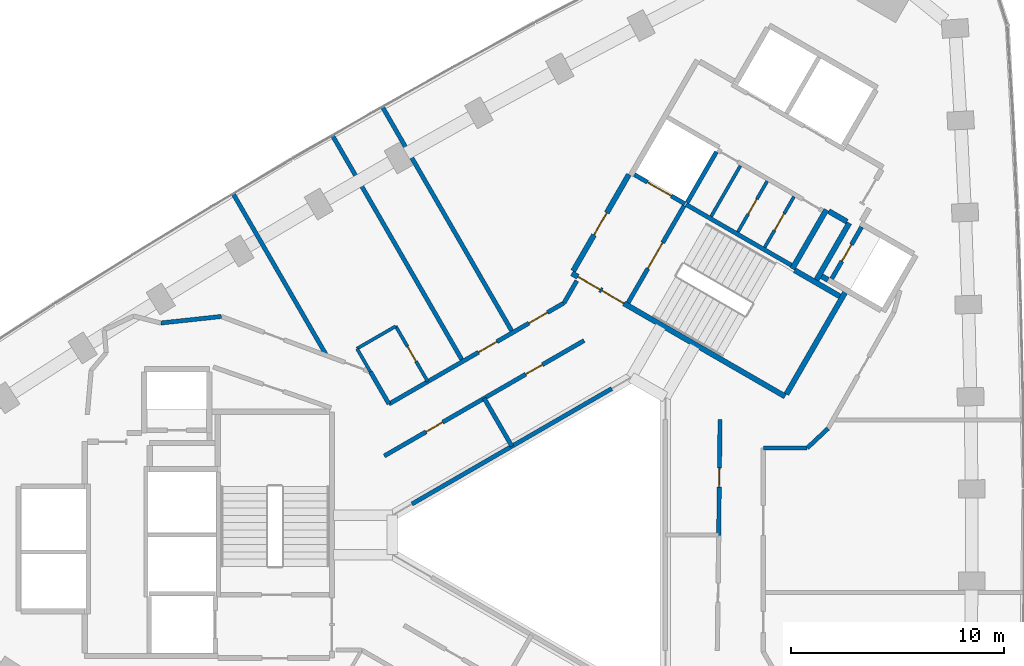
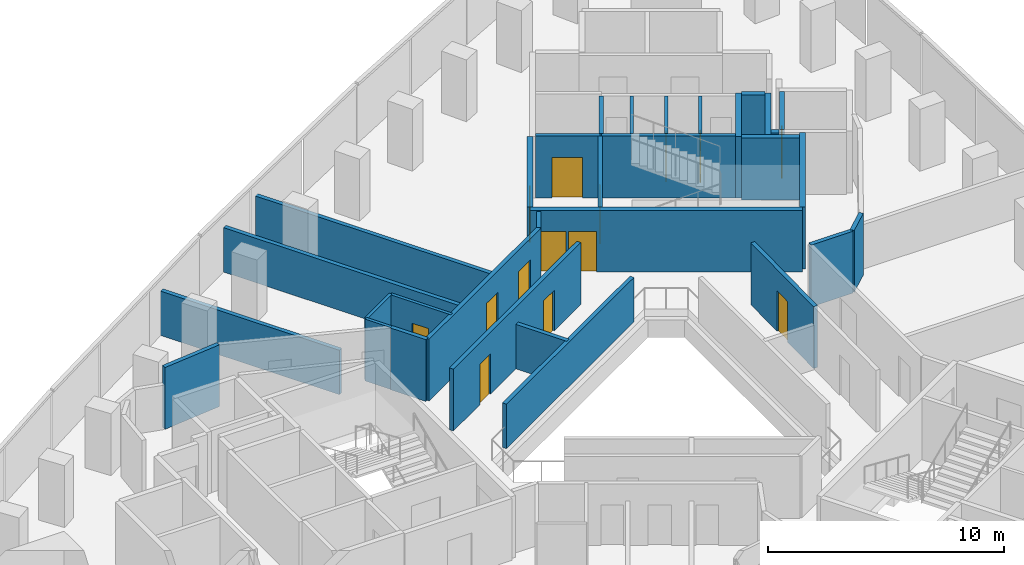
# One storey, part 10 of 12: 32 walls, 14 doors, 14 openings.
"""IFC4 building model written with IfcOpenShell, lengths in metres."""

import ifcopenshell
import ifcopenshell.guid

model = None  # the IFC model being written
_history = None  # IfcOwnerHistory: only IFC2X3 demands one
_inside = {}  # id of a spatial element -> (the spatial element, [elements in it])
_under = {}  # id of a project, library or spatial element -> (it, [spatial elements below it])
_declared = {}  # id of a project -> (the project, [libraries it declares])
_typed = {}  # id of a type object -> (the type object, [elements of that type])
_made_of = {}  # id of a material, layer set ... -> (it, [elements and type objects made of it])


def new_model(schema):
    """Start an empty IFC model of exactly this schema.

    Asked for "IFC4X3", IfcOpenShell would pick the latest addendum, in which some entities
    have other attributes; the version numbers below select the first issue.
    IFC2X3 requires an IfcOwnerHistory on every rooted entity: one is made here for all.
    """
    global model, _history
    if schema == "IFC4X3":
        model = ifcopenshell.file(schema_version=(4, 3, 0, 0))
    else:
        model = ifcopenshell.file(schema=schema)
    _inside.clear()
    _under.clear()
    _declared.clear()
    _typed.clear()
    _made_of.clear()
    _history = None
    if model.schema == "IFC2X3":
        org = make("IfcOrganization", Name="unknown")
        user = make(
            "IfcPersonAndOrganization",
            ThePerson=make("IfcPerson", FamilyName="unknown"),
            TheOrganization=org,
        )
        app = make(
            "IfcApplication",
            ApplicationDeveloper=org,
            Version="unknown",
            ApplicationFullName="unknown",
            ApplicationIdentifier="unknown",
        )
        _history = make(
            "IfcOwnerHistory",
            OwningUser=user,
            OwningApplication=app,
            ChangeAction="ADDED",
            CreationDate=0,
        )
    return model


def make(cls, **values):
    """One entity of the class cls with the attributes given. An attribute that is None is left unset."""
    return model.create_entity(
        cls, **{name: value for name, value in values.items() if value is not None}
    )


def rooted(cls, **values):
    """An entity with a GlobalId (a new one), such as an element, a storey or a relation."""
    return make(cls, GlobalId=ifcopenshell.guid.new(), OwnerHistory=_history, **values)


def si_unit(unit_type, name, prefix=None):
    """IfcSIUnit, for example si_unit("LENGTHUNIT", "METRE", prefix="MILLI")."""
    return make("IfcSIUnit", UnitType=unit_type, Prefix=prefix, Name=name)


def assignment(units):
    """IfcUnitAssignment: the units of a project."""
    return None if units is None else make("IfcUnitAssignment", Units=units)


def point(xyz):
    """IfcCartesianPoint."""
    return None if xyz is None else make("IfcCartesianPoint", Coordinates=xyz)


def direction(xyz):
    """IfcDirection."""
    return None if xyz is None else make("IfcDirection", DirectionRatios=xyz)


def frame(location, z_axis=None, x_axis=None):
    """IfcAxis2Placement3D, a coordinate frame: its origin and axes. An axis left out is left unset."""
    return make(
        "IfcAxis2Placement3D",
        Location=point(location),
        Axis=direction(z_axis),
        RefDirection=direction(x_axis),
    )


def frame_2d(location, x_axis=None):
    """IfcAxis2Placement2D, a coordinate frame in the plane: its origin and x axis."""
    return make(
        "IfcAxis2Placement2D", Location=point(location), RefDirection=direction(x_axis)
    )


def origin():
    """The frame at (0, 0, 0) with its axes left unset."""
    return frame((0.0, 0.0, 0.0))


def place(relative_to, where):
    """IfcLocalPlacement: puts the frame where relative to a parent placement (None: the world)."""
    return make(
        "IfcLocalPlacement", PlacementRelTo=relative_to, RelativePlacement=where
    )


def context(
    kind, dimensions, precision=None, world=None, true_north=None, identifier=None
):
    """IfcGeometricRepresentationContext, for example the 3D "Model" context."""
    return make(
        "IfcGeometricRepresentationContext",
        ContextIdentifier=identifier,
        ContextType=kind,
        CoordinateSpaceDimension=dimensions,
        Precision=precision,
        WorldCoordinateSystem=world,
        TrueNorth=true_north,
    )


def subcontext(parent, identifier, kind, view, scale=None):
    """IfcGeometricRepresentationSubContext, for example "Body" below "Model"."""
    return make(
        "IfcGeometricRepresentationSubContext",
        ContextIdentifier=identifier,
        ContextType=kind,
        ParentContext=parent,
        TargetScale=scale,
        TargetView=view,
    )


def project(units=None, contexts=None):
    """IfcProject with its units and contexts."""
    return rooted(
        "IfcProject",
        Name="project",
        RepresentationContexts=contexts,
        UnitsInContext=assignment(units),
    )


def spatial(cls, under=None, at=None, **own):
    """A site, building, storey or space (cls), placed at a placement, below another one or the project."""
    s = rooted(cls, ObjectPlacement=at, **own)
    if under is not None:
        _under.setdefault(under.id(), (under, []))[1].append(s)
    return s


def profile(cls, at=None, kind="AREA", **sizes):
    """A parametric profile (cls). Its sizes go by their IFC names, for example OverallWidth=200.0."""
    return make(cls, ProfileType=kind, Position=at, **sizes)


def rectangle(**sizes):
    """IfcRectangleProfileDef."""
    return profile("IfcRectangleProfileDef", **sizes)


def extrude(swept, where, along, depth):
    """IfcExtrudedAreaSolid: the profile swept, set in the frame where, extruded along a direction by depth."""
    return make(
        "IfcExtrudedAreaSolid",
        SweptArea=swept,
        Position=where,
        ExtrudedDirection=direction(along),
        Depth=depth,
    )


def shape(context_of_items, identifier, shape_type, items):
    """IfcShapeRepresentation: the items that make up one representation, for example the "Body"."""
    return make(
        "IfcShapeRepresentation",
        ContextOfItems=context_of_items,
        RepresentationIdentifier=identifier,
        RepresentationType=shape_type,
        Items=items,
    )


def material(Name=None, Category=None):
    """IfcMaterial."""
    return make("IfcMaterial", Name=Name, Category=Category)


def layer(
    of_material, thickness, ventilated=None, Name=None, Category=None, Priority=None
):
    """IfcMaterialLayer: one layer of a wall or slab, of a material (None: an air gap)."""
    return make(
        "IfcMaterialLayer",
        Material=of_material,
        LayerThickness=thickness,
        IsVentilated=ventilated,
        Name=Name,
        Category=Category,
        Priority=Priority,
    )


def layer_set(layers, Name=None):
    """IfcMaterialLayerSet."""
    return make("IfcMaterialLayerSet", MaterialLayers=layers, LayerSetName=Name)


def made_of(thing, what):
    """Note that an element or type object is made of a material, layer set ...; save() writes the relation."""
    if what is not None:
        _made_of.setdefault(what.id(), (what, []))[1].append(thing)
    return thing


def type_object(cls, material=None, **own):
    """A type object (cls), such as IfcWallType, which elements share."""
    return made_of(rooted(cls, **own), material)


def element(
    cls,
    number,
    at=None,
    inside=None,
    cuts=None,
    type_object=None,
    material=None,
    context=None,
    identifier="Body",
    shape_type=None,
    held_by="IfcProductDefinitionShape",
    body=None,
    shapes=None,
    **own,
):
    """One element of the class cls, such as IfcWall. Its Tag is "e" and its number.

    at: its placement. inside: the storey or other place that contains it. cuts: it is an
    opening in that element (IfcRelVoidsElement). A single representation is given by context,
    identifier, shape_type and body (its items); several are given by shapes. held_by: the class
    of the entity that holds the representations. save() writes the other relations.
    """
    e = rooted(cls, Tag="e%d" % number, ObjectPlacement=at, **own)
    if body is not None:
        shapes = [shape(context, identifier, shape_type, body)]
    if shapes is not None:
        e.Representation = make(held_by, Representations=shapes)
    if inside is not None:
        _inside.setdefault(inside.id(), (inside, []))[1].append(e)
    if cuts is not None:
        rooted(
            "IfcRelVoidsElement", RelatingBuildingElement=cuts, RelatedOpeningElement=e
        )
    if type_object is not None:
        _typed.setdefault(type_object.id(), (type_object, []))[1].append(e)
    return made_of(e, material)


def fill(opening, filler):
    """IfcRelFillsElement: the door or window that sits in an opening."""
    return rooted(
        "IfcRelFillsElement",
        RelatingOpeningElement=opening,
        RelatedBuildingElement=filler,
    )


def aggregate(whole, parts):
    """IfcRelAggregates: a whole, such as a stair, and the parts it consists of."""
    return rooted("IfcRelAggregates", RelatingObject=whole, RelatedObjects=parts)


def save(model, path):
    """Write the relations noted so far, then the file.

    IfcRelAggregates (storeys below a building ...), IfcRelContainedInSpatialStructure (elements
    in a storey), IfcRelDefinesByType, IfcRelAssociatesMaterial and IfcRelDeclares: one each for
    every whole, place, type object, material and project.
    """
    for whole, parts in _under.values():
        aggregate(whole, parts)
    for where, things in _inside.values():
        rooted(
            "IfcRelContainedInSpatialStructure",
            RelatedElements=things,
            RelatingStructure=where,
        )
    for kind, things in _typed.values():
        rooted("IfcRelDefinesByType", RelatedObjects=things, RelatingType=kind)
    for what, things in _made_of.values():
        rooted("IfcRelAssociatesMaterial", RelatedObjects=things, RelatingMaterial=what)
    for by, libraries in _declared.values():
        rooted("IfcRelDeclares", RelatingContext=by, RelatedDefinitions=libraries)
    model.write(path)


model = new_model("IFC4")

# Units and contexts
model_context = context("Model", 3, precision=1e-05, world=origin(), true_north=direction((0.0, 1.0)))
body_context = subcontext(model_context, "Body", "Model", "MODEL_VIEW")
ifc_project = project(units=[si_unit("LENGTHUNIT", "METRE"), si_unit("AREAUNIT", "SQUARE_METRE"), si_unit("VOLUMEUNIT", "CUBIC_METRE"), si_unit("PLANEANGLEUNIT", "RADIAN"), si_unit("MASSUNIT", "GRAM", prefix="KILO")], contexts=[model_context])

# Site, building, storey
site_placement = place(None, origin())
site = spatial("IfcSite", under=ifc_project, at=site_placement, CompositionType="ELEMENT")
building_placement = place(site_placement, origin())
building = spatial("IfcBuilding", under=site, at=building_placement, Name="Tamra Quay Hotel Tower", CompositionType="ELEMENT")
storey_placement = place(building_placement, frame((0.0, 0.0, 143.199951171875)))
storey = spatial("IfcBuildingStorey", under=building, at=storey_placement, Name="L35", CompositionType="ELEMENT", Elevation=143.199951171875)

# Wall
ifc_material_1 = material(Name="Concrete M70", Category="concrete")
ifc_layer_1 = layer(ifc_material_1, 0.199951171875)
ifc_layer_set_1 = layer_set([ifc_layer_1], Name="Concrete M70 core wall 200")
wall_type_1 = type_object("IfcWallType", Name="Concrete M70 core wall 200", PredefinedType="SHEAR", material=ifc_layer_set_1)
wall_1_placement = place(storey_placement, frame((5.774658203125, 15.501953125, 0.0), z_axis=(0.0, 0.0, 1.0), x_axis=(0.866020080793, -0.500009219579, 0.0)))
element("IfcWall", 1, at=wall_1_placement, inside=storey, type_object=wall_type_1, Name="CW2", PredefinedType="SHEAR", context=body_context, shape_type="SweptSolid", body=[
    extrude(rectangle(XDim=5.69921875, YDim=0.199951171875, at=frame_2d((2.849609375, 0.0))), origin(), (0.0, 0.0, 1.0), 3.199951171875),
])

# Wall, opening, door
wall_2_placement = place(storey_placement, frame((3.056640625, 10.89453125, 0.0), z_axis=(0.0, 0.0, 1.0), x_axis=(0.499989418164, 0.866031513124, 0.0)))
wall_2 = element("IfcWall", 2, at=wall_2_placement, inside=storey, type_object=wall_type_1, Name="CW2", PredefinedType="SHEAR", context=body_context, shape_type="SweptSolid", body=[
    extrude(rectangle(XDim=5.2509765625, YDim=0.199951171875, at=frame_2d((2.62548828125, 0.0))), origin(), (0.0, 0.0, 1.0), 3.199951171875),
])
opening_1_placement = place(wall_2_placement, frame((1.84912109375, 0.0, 0.0)))
opening_1 = element("IfcOpeningElement", 3, at=opening_1_placement, cuts=wall_2, Name="Opening FD2", PredefinedType="OPENING", context=body_context, shape_type="SweptSolid", body=[
    extrude(rectangle(XDim=1.39990234375, YDim=2.10009765625, at=frame_2d((0.699951171875, 1.050048828125))), frame((0.0, 0.10986328125, 0.0), z_axis=(0.0, -1.0, 0.0), x_axis=(1.0, 0.0, 0.0)), (0.0, 0.0, 1.0), 0.219970703125),
])
ifc_material_2 = material(Name="Core door FD2 1400x2100 LH")
door_type_1 = type_object("IfcDoorType", Name="Core door FD2 1400x2100 LH", OperationType="NOTDEFINED", PredefinedType="DOOR", material=ifc_material_2)
door_1_placement = place(opening_1_placement, origin())
door_1 = element("IfcDoor", 4, at=door_1_placement, inside=storey, type_object=door_type_1, Name="FD2", OperationType="SINGLE_SWING_LEFT", OverallHeight=2.10009765625, OverallWidth=1.39990234375, PredefinedType="DOOR", context=body_context, shape_type="SweptSolid", body=[
    extrude(rectangle(XDim=1.39990234375, YDim=2.10009765625, at=frame_2d((0.699951171875, 1.050048828125))), frame((0.0, 0.02490234375, 0.0), z_axis=(0.0, -1.0, 0.0), x_axis=(1.0, 0.0, 0.0)), (0.0, 0.0, 1.0), 0.050048828125),
])
fill(opening_1, door_1)

wall_3_placement = place(storey_placement, frame((14.0078125, 14.442138671875, 0.0), z_axis=(0.0, 0.0, 1.0), x_axis=(-0.499986818241, -0.866033014143, 0.0)))
wall_3 = element("IfcWall", 5, at=wall_3_placement, inside=storey, type_object=wall_type_1, Name="CW2", PredefinedType="SHEAR", context=body_context, shape_type="SweptSolid", body=[
    extrude(rectangle(XDim=2.7978515625, YDim=0.199951171875, at=frame_2d((1.39892578125, 0.0))), origin(), (0.0, 0.0, 1.0), 3.199951171875),
])
opening_2_placement = place(wall_3_placement, frame((0.948974609375, 0.0, 0.0)))
opening_2 = element("IfcOpeningElement", 6, at=opening_2_placement, cuts=wall_3, Name="Opening D1", PredefinedType="OPENING", context=body_context, shape_type="SweptSolid", body=[
    extrude(rectangle(XDim=0.89990234375, YDim=2.10009765625, at=frame_2d((0.449951171875, 1.050048828125))), frame((0.0, 0.10986328125, 0.0), z_axis=(0.0, -1.0, 0.0), x_axis=(1.0, 0.0, 0.0)), (0.0, 0.0, 1.0), 0.219970703125),
])
ifc_material_3 = material(Name="Core door D1 900x2100 RH")
door_type_2 = type_object("IfcDoorType", Name="Core door D1 900x2100 RH", OperationType="NOTDEFINED", PredefinedType="DOOR", material=ifc_material_3)
door_2_placement = place(opening_2_placement, origin())
door_2 = element("IfcDoor", 7, at=door_2_placement, inside=storey, type_object=door_type_2, Name="D1", OperationType="SINGLE_SWING_RIGHT", OverallHeight=2.10009765625, OverallWidth=0.89990234375, PredefinedType="DOOR", context=body_context, shape_type="SweptSolid", body=[
    extrude(rectangle(XDim=0.89990234375, YDim=2.10009765625, at=frame_2d((0.449951171875, 1.050048828125))), frame((0.0, 0.02490234375, 0.0), z_axis=(0.0, -1.0, 0.0), x_axis=(1.0, 0.0, 0.0)), (0.0, 0.0, 1.0), 0.050048828125),
])
fill(opening_2, door_2)

# Wall
wall_4_placement = place(storey_placement, frame((7.199462890625, 17.969970703125, 0.0), z_axis=(0.0, 0.0, 1.0), x_axis=(-0.499968400327, -0.866043647095, 0.0)))
element("IfcWall", 8, at=wall_4_placement, inside=storey, type_object=wall_type_1, Name="CW2", PredefinedType="SHEAR", context=body_context, shape_type="SweptSolid", body=[
    extrude(rectangle(XDim=2.749755859375, YDim=0.199951171875, at=frame_2d((1.375, 0.0))), origin(), (0.0, 0.0, 1.0), 3.199951171875),
])

# Wall, opening, door
wall_5_placement = place(storey_placement, frame((5.72509765625, 15.530517578125, 0.0), z_axis=(0.0, 0.0, 1.0), x_axis=(-0.866037306777, 0.499979382845, 0.0)))
wall_5 = element("IfcWall", 9, at=wall_5_placement, inside=storey, type_object=wall_type_1, Name="CW2", PredefinedType="SHEAR", context=body_context, shape_type="SweptSolid", body=[
    extrude(rectangle(XDim=2.74169921875, YDim=0.199951171875, at=frame_2d((1.370849609375, 0.0))), origin(), (0.0, 0.0, 1.0), 3.199951171875),
])
opening_3_placement = place(wall_5_placement, frame((0.742919921875, 0.0, 0.0)))
opening_3 = element("IfcOpeningElement", 10, at=opening_3_placement, cuts=wall_5, Name="Opening LD", PredefinedType="OPENING", context=body_context, shape_type="SweptSolid", body=[
    extrude(rectangle(XDim=1.300048828125, YDim=2.10009765625, at=frame_2d((0.64990234375, 1.050048828125))), frame((0.0, 0.10986328125, 0.0), z_axis=(0.0, -1.0, 0.0), x_axis=(1.0, 0.0, 0.0)), (0.0, 0.0, 1.0), 0.219970703125),
])
ifc_material_4 = material(Name="Landing door LD 1300 sliding to left")
door_type_3 = type_object("IfcDoorType", Name="Landing door LD 1300 sliding to left", OperationType="NOTDEFINED", PredefinedType="DOOR", material=ifc_material_4)
door_3_placement = place(opening_3_placement, origin())
door_3 = element("IfcDoor", 11, at=door_3_placement, inside=storey, type_object=door_type_3, Name="LD", OperationType="SLIDING_TO_LEFT", OverallHeight=2.10009765625, OverallWidth=1.300048828125, PredefinedType="DOOR", context=body_context, shape_type="SweptSolid", body=[
    extrude(rectangle(XDim=1.300048828125, YDim=2.10009765625, at=frame_2d((0.64990234375, 1.050048828125))), frame((0.0, 0.02490234375, 0.0), z_axis=(0.0, -1.0, 0.0), x_axis=(1.0, 0.0, 0.0)), (0.0, 0.0, 1.0), 0.050048828125),
])
fill(opening_3, door_3)

# Wall, openings, doors
ifc_layer_2 = layer(ifc_material_1, 0.25)
ifc_layer_set_2 = layer_set([ifc_layer_2], Name="Concrete M70 core wall 250")
wall_type_2 = type_object("IfcWallType", Name="Concrete M70 core wall 250", PredefinedType="SHEAR", material=ifc_layer_set_2)
wall_6_placement = place(storey_placement, frame((10.419921875, 6.497802734375, 0.0), z_axis=(0.0, 0.0, 1.0), x_axis=(-0.866021906294, 0.500006057782, 0.0)))
wall_6 = element("IfcWall", 12, at=wall_6_placement, inside=storey, type_object=wall_type_2, Name="CW1", PredefinedType="SHEAR", context=body_context, shape_type="SweptSolid", body=[
    extrude(rectangle(XDim=11.550048828125, YDim=0.25, at=frame_2d((5.77490234375, 0.0))), origin(), (0.0, 0.0, 1.0), 3.199951171875),
])
opening_4_placement = place(wall_6_placement, frame((10.02490234375, 0.0, 0.0)))
opening_4 = element("IfcOpeningElement", 13, at=opening_4_placement, cuts=wall_6, Name="Opening FD1", PredefinedType="OPENING", context=body_context, shape_type="SweptSolid", body=[
    extrude(rectangle(XDim=1.199951171875, YDim=2.10009765625, at=frame_2d((0.60009765625, 1.050048828125))), frame((0.0, 0.135009765625, 0.0), z_axis=(0.0, -1.0, 0.0), x_axis=(1.0, 0.0, 0.0)), (0.0, 0.0, 1.0), 0.27001953125),
])
opening_5_placement = place(wall_6_placement, frame((8.724853515625, 0.0, 0.0)))
opening_5 = element("IfcOpeningElement", 14, at=opening_5_placement, cuts=wall_6, Name="Opening FD1", PredefinedType="OPENING", context=body_context, shape_type="SweptSolid", body=[
    extrude(rectangle(XDim=1.199951171875, YDim=2.10009765625, at=frame_2d((0.60009765625, 1.050048828125))), frame((0.0, 0.135009765625, 0.0), z_axis=(0.0, -1.0, 0.0), x_axis=(1.0, 0.0, 0.0)), (0.0, 0.0, 1.0), 0.27001953125),
])
ifc_material_5 = material(Name="Core door FD1 1200x2100 LH")
door_type_4 = type_object("IfcDoorType", Name="Core door FD1 1200x2100 LH", OperationType="NOTDEFINED", PredefinedType="DOOR", material=ifc_material_5)
door_4_placement = place(opening_4_placement, origin())
door_4 = element("IfcDoor", 15, at=door_4_placement, inside=storey, type_object=door_type_4, Name="FD1", OperationType="SINGLE_SWING_LEFT", OverallHeight=2.10009765625, OverallWidth=1.199951171875, PredefinedType="DOOR", context=body_context, shape_type="SweptSolid", body=[
    extrude(rectangle(XDim=1.199951171875, YDim=2.10009765625, at=frame_2d((0.60009765625, 1.050048828125))), frame((0.0, 0.02490234375, 0.0), z_axis=(0.0, -1.0, 0.0), x_axis=(1.0, 0.0, 0.0)), (0.0, 0.0, 1.0), 0.050048828125),
])
fill(opening_4, door_4)
ifc_material_6 = material(Name="Core door FD1 1200x2100 RH")
door_type_5 = type_object("IfcDoorType", Name="Core door FD1 1200x2100 RH", OperationType="NOTDEFINED", PredefinedType="DOOR", material=ifc_material_6)
door_5_placement = place(opening_5_placement, origin())
door_5 = element("IfcDoor", 16, at=door_5_placement, inside=storey, type_object=door_type_5, Name="FD1", OperationType="SINGLE_SWING_RIGHT", OverallHeight=2.10009765625, OverallWidth=1.199951171875, PredefinedType="DOOR", context=body_context, shape_type="SweptSolid", body=[
    extrude(rectangle(XDim=1.199951171875, YDim=2.10009765625, at=frame_2d((0.60009765625, 1.050048828125))), frame((0.0, 0.02490234375, 0.0), z_axis=(0.0, -1.0, 0.0), x_axis=(1.0, 0.0, 0.0)), (0.0, 0.0, 1.0), 0.050048828125),
])
fill(opening_5, door_5)

# Wall, opening, door
wall_7_placement = place(storey_placement, frame((0.47998046875, 12.38134765625, 0.0), z_axis=(0.0, 0.0, 1.0), x_axis=(0.49999885962, 0.866026062182, 0.0)))
wall_7 = element("IfcWall", 17, at=wall_7_placement, inside=storey, type_object=wall_type_2, Name="CW1", PredefinedType="SHEAR", context=body_context, shape_type="SweptSolid", body=[
    extrude(rectangle(XDim=5.224609375, YDim=0.25, at=frame_2d((2.6123046875, 0.0))), origin(), (0.0, 0.0, 1.0), 3.199951171875),
])
opening_6_placement = place(wall_7_placement, frame((1.94970703125, 0.0, 0.0)))
opening_6 = element("IfcOpeningElement", 18, at=opening_6_placement, cuts=wall_7, Name="Opening D2", PredefinedType="OPENING", context=body_context, shape_type="SweptSolid", body=[
    extrude(rectangle(XDim=1.199951171875, YDim=2.10009765625, at=frame_2d((0.60009765625, 1.050048828125))), frame((0.0, 0.135009765625, 0.0), z_axis=(0.0, -1.0, 0.0), x_axis=(1.0, 0.0, 0.0)), (0.0, 0.0, 1.0), 0.27001953125),
])
ifc_material_7 = material(Name="Core door D2 1200x2100 RH")
door_type_6 = type_object("IfcDoorType", Name="Core door D2 1200x2100 RH", OperationType="NOTDEFINED", PredefinedType="DOOR", material=ifc_material_7)
door_6_placement = place(opening_6_placement, origin())
door_6 = element("IfcDoor", 19, at=door_6_placement, inside=storey, type_object=door_type_6, Name="D2", OperationType="SINGLE_SWING_RIGHT", OverallHeight=2.10009765625, OverallWidth=1.199951171875, PredefinedType="DOOR", context=body_context, shape_type="SweptSolid", body=[
    extrude(rectangle(XDim=1.199951171875, YDim=2.10009765625, at=frame_2d((0.60009765625, 1.050048828125))), frame((0.0, 0.02490234375, 0.0), z_axis=(0.0, -1.0, 0.0), x_axis=(1.0, 0.0, 0.0)), (0.0, 0.0, 1.0), 0.050048828125),
])
fill(opening_6, door_6)

# Walls
wall_8_placement = place(storey_placement, frame((13.237548828125, 11.3779296875, 0.0), z_axis=(0.0, 0.0, 1.0), x_axis=(-0.500008851346, -0.866020293397, 0.0)))
element("IfcWall", 20, at=wall_8_placement, inside=storey, type_object=wall_type_2, Name="CW1", PredefinedType="SHEAR", context=body_context, shape_type="SweptSolid", body=[
    extrude(rectangle(XDim=5.509765625, YDim=0.25, at=frame_2d((2.7548828125, 0.0))), origin(), (0.0, 0.0, 1.0), 3.199951171875),
])
wall_9_placement = place(storey_placement, frame((12.356689453125, 15.25244140625, 0.0), z_axis=(0.0, 0.0, 1.0), x_axis=(-0.500028443584, -0.866008981251, 0.0)))
element("IfcWall", 21, at=wall_9_placement, inside=storey, type_object=wall_type_2, Name="CW1", PredefinedType="SHEAR", context=body_context, shape_type="SweptSolid", body=[
    extrude(rectangle(XDim=3.199951171875, YDim=0.25, at=frame_2d((1.60009765625, 0.0))), origin(), (0.0, 0.0, 1.0), 3.199951171875),
])
wall_10_placement = place(storey_placement, frame((11.887939453125, 11.960693359375, 0.0), z_axis=(0.0, 0.0, 1.0), x_axis=(0.500003324108, 0.866023484601, 0.0)))
element("IfcWall", 22, at=wall_10_placement, inside=storey, type_object=wall_type_2, Name="CW1", PredefinedType="SHEAR", context=body_context, shape_type="SweptSolid", body=[
    extrude(rectangle(XDim=3.0849609375, YDim=0.25, at=frame_2d((1.54248046875, 0.0))), origin(), (0.0, 0.0, 1.0), 3.199951171875),
])
wall_11_placement = place(storey_placement, frame((10.865234375, 12.41845703125, 0.0), z_axis=(0.0, 0.0, 1.0), x_axis=(0.866026229868, -0.499998569178, 0.0)))
element("IfcWall", 23, at=wall_11_placement, inside=storey, type_object=wall_type_2, Name="CW1", PredefinedType="SHEAR", context=body_context, shape_type="SweptSolid", body=[
    extrude(rectangle(XDim=2.44921875, YDim=0.25, at=frame_2d((1.224609375, 0.0))), origin(), (0.0, 0.0, 1.0), 3.199951171875),
])
wall_12_placement = place(storey_placement, frame((13.322021484375, 14.695068359375, 0.0), z_axis=(0.0, 0.0, 1.0), x_axis=(-0.866017078145, 0.500014420154, 0.0)))
element("IfcWall", 24, at=wall_12_placement, inside=storey, type_object=wall_type_2, Name="CW1", PredefinedType="SHEAR", context=body_context, shape_type="SweptSolid", body=[
    extrude(rectangle(XDim=0.9892578125, YDim=0.25, at=frame_2d((0.49462890625, 0.0))), origin(), (0.0, 0.0, 1.0), 3.199951171875),
])
wall_13_placement = place(storey_placement, frame((12.4326171875, 11.9638671875, 0.0), z_axis=(0.0, 0.0, 1.0), x_axis=(-0.866055875208, 0.499947218231, 0.0)))
element("IfcWall", 25, at=wall_13_placement, inside=storey, type_object=wall_type_2, Name="CW1", PredefinedType="SHEAR", context=body_context, shape_type="SweptSolid", body=[
    extrude(rectangle(XDim=0.3447265625, YDim=0.25, at=frame_2d((0.17236328125, 0.0))), origin(), (0.0, 0.0, 1.0), 3.199951171875),
])

# Wall, opening, door
ifc_material_8 = material(Name="Blockwork", Category="masonry")
ifc_layer_3 = layer(ifc_material_8, 0.14990234375)
ifc_layer_set_3 = layer_set([ifc_layer_3], Name="Core partition block 150")
wall_type_3 = type_object("IfcWallType", Name="Core partition block 150", PredefinedType="PARTITIONING", material=ifc_layer_set_3)
wall_14_placement = place(storey_placement, frame((9.462158203125, 13.4892578125, 0.0), z_axis=(0.0, 0.0, 1.0), x_axis=(0.50002746344, 0.86600954718, 0.0)))
wall_14 = element("IfcWall", 26, at=wall_14_placement, inside=storey, type_object=wall_type_3, Name="CP1", PredefinedType="PARTITIONING", context=body_context, shape_type="SweptSolid", body=[
    extrude(rectangle(XDim=2.748291015625, YDim=0.14990234375, at=frame_2d((1.3740234375, 0.0))), origin(), (0.0, 0.0, 1.0), 3.199951171875),
])
opening_7_placement = place(wall_14_placement, frame((0.92431640625, 0.0, 0.0)))
opening_7 = element("IfcOpeningElement", 27, at=opening_7_placement, cuts=wall_14, Name="Opening D2", PredefinedType="OPENING", context=body_context, shape_type="SweptSolid", body=[
    extrude(rectangle(XDim=0.89990234375, YDim=2.10009765625, at=frame_2d((0.449951171875, 1.050048828125))), frame((0.0, 0.0849609375, 0.0), z_axis=(0.0, -1.0, 0.0), x_axis=(1.0, 0.0, 0.0)), (0.0, 0.0, 1.0), 0.169921875),
])
ifc_material_9 = material(Name="Core door D2 900x2100 LH")
door_type_7 = type_object("IfcDoorType", Name="Core door D2 900x2100 LH", OperationType="NOTDEFINED", PredefinedType="DOOR", material=ifc_material_9)
door_7_placement = place(opening_7_placement, origin())
door_7 = element("IfcDoor", 28, at=door_7_placement, inside=storey, type_object=door_type_7, Name="D2", OperationType="SINGLE_SWING_LEFT", OverallHeight=2.10009765625, OverallWidth=0.89990234375, PredefinedType="DOOR", context=body_context, shape_type="SweptSolid", body=[
    extrude(rectangle(XDim=0.89990234375, YDim=2.10009765625, at=frame_2d((0.449951171875, 1.050048828125))), frame((0.0, 0.02490234375, 0.0), z_axis=(0.0, -1.0, 0.0), x_axis=(1.0, 0.0, 0.0)), (0.0, 0.0, 1.0), 0.050048828125),
])
fill(opening_7, door_7)

wall_15_placement = place(storey_placement, frame((8.20654296875, 14.214111328125, 0.0), z_axis=(0.0, 0.0, 1.0), x_axis=(0.499922376475, 0.866070215109, 0.0)))
wall_15 = element("IfcWall", 29, at=wall_15_placement, inside=storey, type_object=wall_type_3, Name="CP1", PredefinedType="PARTITIONING", context=body_context, shape_type="SweptSolid", body=[
    extrude(rectangle(XDim=2.74853515625, YDim=0.14990234375, at=frame_2d((1.374267578125, 0.0))), origin(), (0.0, 0.0, 1.0), 3.199951171875),
])
opening_8_placement = place(wall_15_placement, frame((0.97412109375, 0.0, 0.0)))
opening_8 = element("IfcOpeningElement", 30, at=opening_8_placement, cuts=wall_15, Name="Opening D3", PredefinedType="OPENING", context=body_context, shape_type="SweptSolid", body=[
    extrude(rectangle(XDim=0.800048828125, YDim=2.10009765625, at=frame_2d((0.39990234375, 1.050048828125))), frame((0.0, 0.0849609375, 0.0), z_axis=(0.0, -1.0, 0.0), x_axis=(1.0, 0.0, 0.0)), (0.0, 0.0, 1.0), 0.169921875),
])
ifc_material_10 = material(Name="Core door D3 800x2100 RH")
door_type_8 = type_object("IfcDoorType", Name="Core door D3 800x2100 RH", OperationType="NOTDEFINED", PredefinedType="DOOR", material=ifc_material_10)
door_8_placement = place(opening_8_placement, origin())
door_8 = element("IfcDoor", 31, at=door_8_placement, inside=storey, type_object=door_type_8, Name="D3", OperationType="SINGLE_SWING_RIGHT", OverallHeight=2.10009765625, OverallWidth=0.800048828125, PredefinedType="DOOR", context=body_context, shape_type="SweptSolid", body=[
    extrude(rectangle(XDim=0.800048828125, YDim=2.10009765625, at=frame_2d((0.39990234375, 1.050048828125))), frame((0.0, 0.02490234375, 0.0), z_axis=(0.0, -1.0, 0.0), x_axis=(1.0, 0.0, 0.0)), (0.0, 0.0, 1.0), 0.050048828125),
])
fill(opening_8, door_8)

# Walls
wall_16_placement = place(storey_placement, frame((6.95068359375, 14.939208984375, 0.0), z_axis=(0.0, 0.0, 1.0), x_axis=(0.50002746344, 0.86600954718, 0.0)))
element("IfcWall", 32, at=wall_16_placement, inside=storey, type_object=wall_type_3, Name="CP1", PredefinedType="PARTITIONING", context=body_context, shape_type="SweptSolid", body=[
    extrude(rectangle(XDim=2.748291015625, YDim=0.14990234375, at=frame_2d((1.3740234375, 0.0))), origin(), (0.0, 0.0, 1.0), 3.199951171875),
])
ifc_material_11 = material(Name="Partition corridor wall")
ifc_layer_4 = layer(ifc_material_11, 0.199951171875)
ifc_layer_set_4 = layer_set([ifc_layer_4], Name="Partition corridor wall")
wall_type_4 = type_object("IfcWallType", Name="Partition corridor wall", PredefinedType="PARTITIONING", material=ifc_layer_set_4)
wall_17_placement = place(storey_placement, frame((-18.864990234375, 9.94091796875, 0.0), z_axis=(0.0, 0.0, 1.0), x_axis=(0.99423123086, 0.107257911519, 0.0)))
element("IfcWall", 33, at=wall_17_placement, inside=storey, type_object=wall_type_4, Name="W-C", PredefinedType="PARTITIONING", context=body_context, shape_type="SweptSolid", body=[
    extrude(rectangle(XDim=2.854248046875, YDim=0.199951171875, at=frame_2d((1.42724609375, 0.0))), origin(), (0.0, 0.0, 1.0), 3.199951171875),
])
wall_18_placement = place(storey_placement, frame((-9.032958984375, 7.65087890625, 0.0), z_axis=(0.0, 0.0, 1.0), x_axis=(0.500417633986, -0.865784148386, 0.0)))
element("IfcWall", 34, at=wall_18_placement, inside=storey, type_object=wall_type_4, Name="W-C", PredefinedType="PARTITIONING", context=body_context, shape_type="SweptSolid", body=[
    extrude(rectangle(XDim=1.74267578125, YDim=0.199951171875, at=frame_2d((0.871337890625, 0.0))), origin(), (0.0, 0.0, 1.0), 3.199951171875),
])

# Wall, openings, doors
wall_19_placement = place(storey_placement, frame((-8.382080078125, 3.705078125, 0.0), z_axis=(0.0, 0.0, 1.0), x_axis=(0.866012036978, 0.500023151273, 0.0)))
wall_19 = element("IfcWall", 35, at=wall_19_placement, inside=storey, type_object=wall_type_4, Name="W-C", PredefinedType="PARTITIONING", context=body_context, shape_type="SweptSolid", body=[
    extrude(rectangle(XDim=10.8232421875, YDim=0.199951171875, at=frame_2d((5.41162109375, 0.0))), origin(), (0.0, 0.0, 1.0), 3.199951171875),
])
opening_9_placement = place(wall_19_placement, frame((7.661376953125, 0.0, 0.0)))
opening_9 = element("IfcOpeningElement", 36, at=opening_9_placement, cuts=wall_19, Name="Opening L35-D020", PredefinedType="OPENING", context=body_context, shape_type="SweptSolid", body=[
    extrude(rectangle(XDim=0.89990234375, YDim=2.10009765625, at=frame_2d((0.449951171875, 1.050048828125))), frame((0.0, 0.10986328125, 0.0), z_axis=(0.0, -1.0, 0.0), x_axis=(1.0, 0.0, 0.0)), (0.0, 0.0, 1.0), 0.219970703125),
])
opening_10_placement = place(wall_19_placement, frame((2.261474609375, 0.0, 0.0)))
opening_10 = element("IfcOpeningElement", 37, at=opening_10_placement, cuts=wall_19, Name="Opening L35-D021", PredefinedType="OPENING", context=body_context, shape_type="SweptSolid", body=[
    extrude(rectangle(XDim=0.89990234375, YDim=2.10009765625, at=frame_2d((0.449951171875, 1.050048828125))), frame((0.0, 0.10986328125, 0.0), z_axis=(0.0, -1.0, 0.0), x_axis=(1.0, 0.0, 0.0)), (0.0, 0.0, 1.0), 0.219970703125),
])
ifc_material_12 = material(Name="Door service room 900x2100")
door_type_9 = type_object("IfcDoorType", Name="Door service room 900x2100", OperationType="NOTDEFINED", PredefinedType="DOOR", material=ifc_material_12)
door_9_placement = place(opening_9_placement, frame((0.89990234375, 0.0, 0.0), z_axis=(0.0, 0.0, 1.0), x_axis=(-1.0, 0.0, 0.0)))
door_9 = element("IfcDoor", 38, at=door_9_placement, inside=storey, type_object=door_type_9, Name="L35-D020", OperationType="SINGLE_SWING_LEFT", OverallHeight=2.10009765625, OverallWidth=0.89990234375, PredefinedType="DOOR", context=body_context, shape_type="SweptSolid", body=[
    extrude(rectangle(XDim=0.89990234375, YDim=2.10009765625, at=frame_2d((0.449951171875, 1.050048828125))), frame((0.0, 0.02490234375, 0.0), z_axis=(0.0, -1.0, 0.0), x_axis=(1.0, 0.0, 0.0)), (0.0, 0.0, 1.0), 0.050048828125),
])
fill(opening_9, door_9)
door_10_placement = place(opening_10_placement, frame((0.89990234375, 0.0, 0.0), z_axis=(0.0, 0.0, 1.0), x_axis=(-1.0, 0.0, 0.0)))
door_10 = element("IfcDoor", 39, at=door_10_placement, inside=storey, type_object=door_type_9, Name="L35-D021", OperationType="SINGLE_SWING_LEFT", OverallHeight=2.10009765625, OverallWidth=0.89990234375, PredefinedType="DOOR", context=body_context, shape_type="SweptSolid", body=[
    extrude(rectangle(XDim=0.89990234375, YDim=2.10009765625, at=frame_2d((0.449951171875, 1.050048828125))), frame((0.0, 0.02490234375, 0.0), z_axis=(0.0, -1.0, 0.0), x_axis=(1.0, 0.0, 0.0)), (0.0, 0.0, 1.0), 0.050048828125),
])
fill(opening_10, door_10)

wall_20_placement = place(storey_placement, frame((-8.16064453125, 6.1416015625, 0.0), z_axis=(0.0, 0.0, 1.0), x_axis=(0.865927304867, 0.500169873828, 0.0)))
wall_20 = element("IfcWall", 40, at=wall_20_placement, inside=storey, type_object=wall_type_4, Name="W-C", PredefinedType="PARTITIONING", context=body_context, shape_type="SweptSolid", body=[
    extrude(rectangle(XDim=9.477783203125, YDim=0.199951171875, at=frame_2d((4.73876953125, 0.0))), origin(), (0.0, 0.0, 1.0), 3.199951171875),
])
opening_11_placement = place(wall_20_placement, frame((4.851318359375, 0.0, 0.0)))
opening_11 = element("IfcOpeningElement", 41, at=opening_11_placement, cuts=wall_20, Name="Opening L35-D004", PredefinedType="OPENING", context=body_context, shape_type="SweptSolid", body=[
    extrude(rectangle(XDim=1.0, YDim=2.10009765625, at=frame_2d((0.5, 1.050048828125))), frame((0.0, 0.10986328125, 0.0), z_axis=(0.0, -1.0, 0.0), x_axis=(1.0, 0.0, 0.0)), (0.0, 0.0, 1.0), 0.219970703125),
])
opening_12_placement = place(wall_20_placement, frame((7.58349609375, 0.0, 0.0)))
opening_12 = element("IfcOpeningElement", 42, at=opening_12_placement, cuts=wall_20, Name="Opening L35-D005", PredefinedType="OPENING", context=body_context, shape_type="SweptSolid", body=[
    extrude(rectangle(XDim=1.0, YDim=2.10009765625, at=frame_2d((0.5, 1.050048828125))), frame((0.0, 0.10986328125, 0.0), z_axis=(0.0, -1.0, 0.0), x_axis=(1.0, 0.0, 0.0)), (0.0, 0.0, 1.0), 0.219970703125),
])
ifc_material_13 = material(Name="Door guest room 1000x2100")
door_type_10 = type_object("IfcDoorType", Name="Door guest room 1000x2100", OperationType="NOTDEFINED", PredefinedType="DOOR", material=ifc_material_13)
door_11_placement = place(opening_11_placement, origin())
door_11 = element("IfcDoor", 43, at=door_11_placement, inside=storey, type_object=door_type_10, Name="L35-D004", OperationType="SINGLE_SWING_LEFT", OverallHeight=2.10009765625, OverallWidth=1.0, PredefinedType="DOOR", context=body_context, shape_type="SweptSolid", body=[
    extrude(rectangle(XDim=1.0, YDim=2.10009765625, at=frame_2d((0.5, 1.050048828125))), frame((0.0, 0.02490234375, 0.0), z_axis=(0.0, -1.0, 0.0), x_axis=(1.0, 0.0, 0.0)), (0.0, 0.0, 1.0), 0.050048828125),
])
fill(opening_11, door_11)
door_12_placement = place(opening_12_placement, origin())
door_12 = element("IfcDoor", 44, at=door_12_placement, inside=storey, type_object=door_type_10, Name="L35-D005", OperationType="SINGLE_SWING_LEFT", OverallHeight=2.10009765625, OverallWidth=1.0, PredefinedType="DOOR", context=body_context, shape_type="SweptSolid", body=[
    extrude(rectangle(XDim=1.0, YDim=2.10009765625, at=frame_2d((0.5, 1.050048828125))), frame((0.0, 0.02490234375, 0.0), z_axis=(0.0, -1.0, 0.0), x_axis=(1.0, 0.0, 0.0)), (0.0, 0.0, 1.0), 0.050048828125),
])
fill(opening_12, door_12)

# Wall
wall_21_placement = place(storey_placement, frame((0.047119140625, 10.881103515625, 0.0), z_axis=(0.0, 0.0, 1.0), x_axis=(0.500038011057, 0.866003456978, 0.0)))
element("IfcWall", 45, at=wall_21_placement, inside=storey, type_object=wall_type_4, Name="W-C", PredefinedType="PARTITIONING", context=body_context, shape_type="SweptSolid", body=[
    extrude(rectangle(XDim=1.20556640625, YDim=0.199951171875, at=frame_2d((0.602783203125, 0.0))), origin(), (0.0, 0.0, 1.0), 3.199951171875),
])

# Wall, opening, door
wall_22_placement = place(storey_placement, frame((7.304931640625, -0.01708984375, 0.0), z_axis=(0.0, 0.0, 1.0), x_axis=(0.01179195138, 0.999930472524, 0.0)))
wall_22 = element("IfcWall", 46, at=wall_22_placement, inside=storey, type_object=wall_type_4, Name="W-C", PredefinedType="PARTITIONING", context=body_context, shape_type="SweptSolid", body=[
    extrude(rectangle(XDim=5.424560546875, YDim=0.199951171875, at=frame_2d((2.71240234375, 0.0))), origin(), (0.0, 0.0, 1.0), 3.199951171875),
])
opening_13_placement = place(wall_22_placement, frame((2.26220703125, 0.0, 0.0)))
opening_13 = element("IfcOpeningElement", 47, at=opening_13_placement, cuts=wall_22, Name="Opening L35-D019", PredefinedType="OPENING", context=body_context, shape_type="SweptSolid", body=[
    extrude(rectangle(XDim=0.89990234375, YDim=2.10009765625, at=frame_2d((0.449951171875, 1.050048828125))), frame((0.0, 0.10986328125, 0.0), z_axis=(0.0, -1.0, 0.0), x_axis=(1.0, 0.0, 0.0)), (0.0, 0.0, 1.0), 0.219970703125),
])
door_13_placement = place(opening_13_placement, origin())
door_13 = element("IfcDoor", 48, at=door_13_placement, inside=storey, type_object=door_type_9, Name="L35-D019", OperationType="SINGLE_SWING_LEFT", OverallHeight=2.10009765625, OverallWidth=0.89990234375, PredefinedType="DOOR", context=body_context, shape_type="SweptSolid", body=[
    extrude(rectangle(XDim=0.89990234375, YDim=2.10009765625, at=frame_2d((0.449951171875, 1.050048828125))), frame((0.0, 0.02490234375, 0.0), z_axis=(0.0, -1.0, 0.0), x_axis=(1.0, 0.0, 0.0)), (0.0, 0.0, 1.0), 0.050048828125),
])
fill(opening_13, door_13)

# Walls
wall_23_placement = place(storey_placement, frame((9.39990234375, 4.077880859375, 0.0), z_axis=(0.0, 0.0, 1.0), x_axis=(1.0, 0.0, 0.0)))
element("IfcWall", 49, at=wall_23_placement, inside=storey, type_object=wall_type_4, Name="W-C", PredefinedType="PARTITIONING", context=body_context, shape_type="SweptSolid", body=[
    extrude(rectangle(XDim=2.05712890625, YDim=0.199951171875, at=frame_2d((1.028564453125, 0.0))), origin(), (0.0, 0.0, 1.0), 3.199951171875),
])
wall_24_placement = place(storey_placement, frame((11.4580078125, 4.077880859375, 0.0), z_axis=(0.0, 0.0, 1.0), x_axis=(0.729936032318, 0.683515463412, 0.0)))
element("IfcWall", 50, at=wall_24_placement, inside=storey, type_object=wall_type_4, Name="W-C", PredefinedType="PARTITIONING", context=body_context, shape_type="SweptSolid", body=[
    extrude(rectangle(XDim=1.3359375, YDim=0.199951171875, at=frame_2d((0.66796875, 0.0))), origin(), (0.0, 0.0, 1.0), 3.199951171875),
])
ifc_material_14 = material(Name="Partition en-suite wall")
ifc_layer_5 = layer(ifc_material_14, 0.14990234375)
ifc_layer_set_5 = layer_set([ifc_layer_5], Name="Partition en-suite wall")
wall_type_5 = type_object("IfcWallType", Name="Partition en-suite wall", PredefinedType="PARTITIONING", material=ifc_layer_set_5)
wall_25_placement = place(storey_placement, frame((-9.660888671875, 8.739990234375, 0.0), z_axis=(0.0, 0.0, 1.0), x_axis=(0.49990192124, -0.866082022179, 0.0)))
element("IfcWall", 51, at=wall_25_placement, inside=storey, type_object=wall_type_5, Name="W-E", PredefinedType="PARTITIONING", context=body_context, shape_type="SweptSolid", body=[
    extrude(rectangle(XDim=1.256103515625, YDim=0.14990234375, at=frame_2d((0.6279296875, 0.0))), origin(), (0.0, 0.0, 1.0), 3.199951171875),
])
wall_26_placement = place(storey_placement, frame((-9.660888671875, 8.739990234375, 0.0), z_axis=(0.0, 0.0, 1.0), x_axis=(0.865922159541, 0.500178781653, 0.0)))
element("IfcWall", 52, at=wall_26_placement, inside=storey, type_object=wall_type_5, Name="W-E", PredefinedType="PARTITIONING", context=body_context, shape_type="SweptSolid", body=[
    extrude(rectangle(XDim=2.099365234375, YDim=0.14990234375, at=frame_2d((1.0498046875, 0.0))), origin(), (0.0, 0.0, 1.0), 3.199951171875),
])

# Wall, opening, door
wall_27_placement = place(storey_placement, frame((-7.843017578125, 9.7900390625, 0.0), z_axis=(0.0, 0.0, 1.0), x_axis=(0.500234218456, -0.865890135459, 0.0)))
wall_27 = element("IfcWall", 53, at=wall_27_placement, inside=storey, type_object=wall_type_5, Name="W-E", PredefinedType="PARTITIONING", context=body_context, shape_type="SweptSolid", body=[
    extrude(rectangle(XDim=3.00048828125, YDim=0.14990234375, at=frame_2d((1.500244140625, 0.0))), origin(), (0.0, 0.0, 1.0), 3.199951171875),
])
opening_14_placement = place(wall_27_placement, frame((1.10009765625, 0.0, 0.0)))
opening_14 = element("IfcOpeningElement", 54, at=opening_14_placement, cuts=wall_27, Name="Opening L35-D007", PredefinedType="OPENING", context=body_context, shape_type="SweptSolid", body=[
    extrude(rectangle(XDim=0.800048828125, YDim=2.10009765625, at=frame_2d((0.39990234375, 1.050048828125))), frame((0.0, 0.0849609375, 0.0), z_axis=(0.0, -1.0, 0.0), x_axis=(1.0, 0.0, 0.0)), (0.0, 0.0, 1.0), 0.169921875),
])
ifc_material_15 = material(Name="Door en-suite 800x2100")
door_type_11 = type_object("IfcDoorType", Name="Door en-suite 800x2100", OperationType="NOTDEFINED", PredefinedType="DOOR", material=ifc_material_15)
door_14_placement = place(opening_14_placement, frame((0.800048828125, 0.0, 0.0), z_axis=(0.0, 0.0, 1.0), x_axis=(-1.0, 0.0, 0.0)))
door_14 = element("IfcDoor", 55, at=door_14_placement, inside=storey, type_object=door_type_11, Name="L35-D007", OperationType="SINGLE_SWING_LEFT", OverallHeight=2.10009765625, OverallWidth=0.800048828125, PredefinedType="DOOR", context=body_context, shape_type="SweptSolid", body=[
    extrude(rectangle(XDim=0.800048828125, YDim=2.10009765625, at=frame_2d((0.39990234375, 1.050048828125))), frame((0.0, 0.02490234375, 0.0), z_axis=(0.0, -1.0, 0.0), x_axis=(1.0, 0.0, 0.0)), (0.0, 0.0, 1.0), 0.050048828125),
])
fill(opening_14, door_14)

# Walls
ifc_material_16 = material(Name="Partition party wall")
ifc_layer_6 = layer(ifc_material_16, 0.199951171875)
ifc_layer_set_6 = layer_set([ifc_layer_6], Name="Partition party wall")
wall_type_6 = type_object("IfcWallType", Name="Partition party wall", PredefinedType="PARTITIONING", material=ifc_layer_set_6)
wall_28_placement = place(storey_placement, frame((-15.466552734375, 15.998046875, 0.0), z_axis=(0.0, 0.0, 1.0), x_axis=(0.500003998589, -0.866023095186, 0.0)))
element("IfcWall", 56, at=wall_28_placement, inside=storey, type_object=wall_type_6, Name="W-P", PredefinedType="PARTITIONING", context=body_context, shape_type="SweptSolid", body=[
    extrude(rectangle(XDim=8.75732421875, YDim=0.199951171875, at=frame_2d((4.378662109375, 0.0))), origin(), (0.0, 0.0, 1.0), 2.300048828125),
])
wall_29_placement = place(storey_placement, frame((-10.809326171875, 18.7314453125, 0.0), z_axis=(0.0, 0.0, 1.0), x_axis=(0.500004774777, -0.866022647048, 0.0)))
element("IfcWall", 57, at=wall_29_placement, inside=storey, type_object=wall_type_6, Name="W-P", PredefinedType="PARTITIONING", context=body_context, shape_type="SweptSolid", body=[
    extrude(rectangle(XDim=12.2265625, YDim=0.199951171875, at=frame_2d((6.11328125, 0.0))), origin(), (0.0, 0.0, 1.0), 2.300048828125),
])
wall_30_placement = place(storey_placement, frame((-8.467529296875, 20.076171875, 0.0), z_axis=(0.0, 0.0, 1.0), x_axis=(0.499961688474, -0.866047521824, 0.0)))
element("IfcWall", 58, at=wall_30_placement, inside=storey, type_object=wall_type_6, Name="W-P", PredefinedType="PARTITIONING", context=body_context, shape_type="SweptSolid", body=[
    extrude(rectangle(XDim=12.22021484375, YDim=0.199951171875, at=frame_2d((6.110107421875, 0.0))), origin(), (0.0, 0.0, 1.0), 2.300048828125),
])
wall_31_placement = place(storey_placement, frame((-7.08154296875, 1.453369140625, 0.0), z_axis=(0.0, 0.0, 1.0), x_axis=(0.866010525116, 0.500025769724, 0.0)))
element("IfcWall", 59, at=wall_31_placement, inside=storey, type_object=wall_type_6, Name="W-P", PredefinedType="PARTITIONING", context=body_context, shape_type="SweptSolid", body=[
    extrude(rectangle(XDim=10.82275390625, YDim=0.199951171875, at=frame_2d((5.411376953125, 0.0))), origin(), (0.0, 0.0, 1.0), 2.300048828125),
])
wall_32_placement = place(storey_placement, frame((-3.696044921875, 6.410888671875, 0.0), z_axis=(0.0, 0.0, 1.0), x_axis=(0.500006934395, -0.866021400173, 0.0)))
element("IfcWall", 60, at=wall_32_placement, inside=storey, type_object=wall_type_6, Name="W-P", PredefinedType="PARTITIONING", context=body_context, shape_type="SweptSolid", body=[
    extrude(rectangle(XDim=2.60009765625, YDim=0.199951171875, at=frame_2d((1.300048828125, 0.0))), origin(), (0.0, 0.0, 1.0), 2.300048828125),
])

save(model, "model.ifc")
